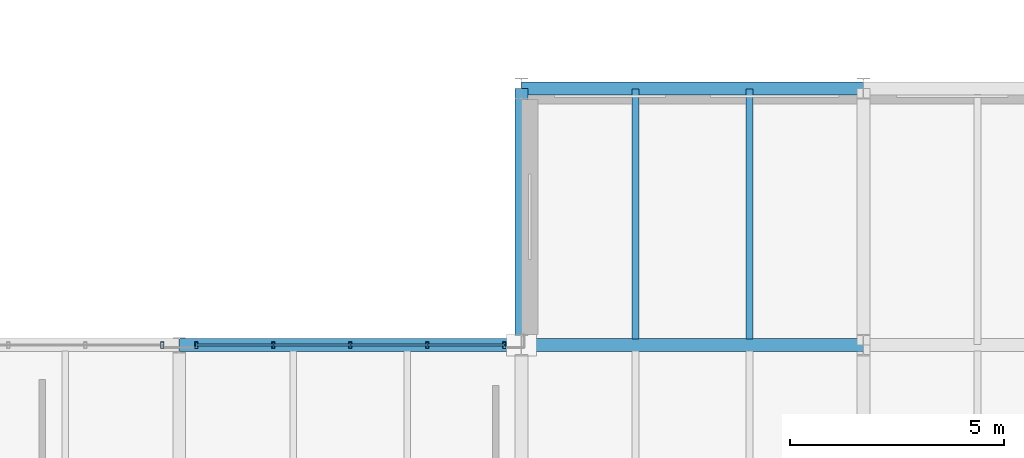
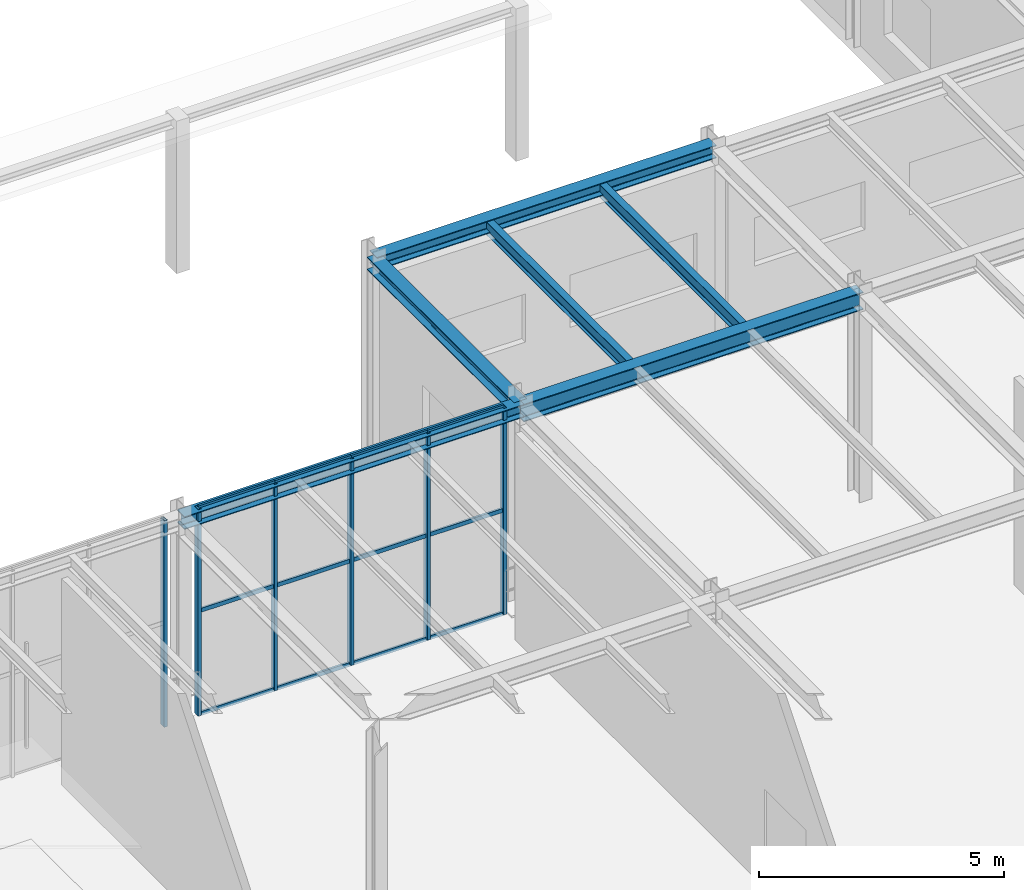
# One storey, part 38 of 129: 18 members, 6 beams, 2 elements without a shape of their own.
"""IFC4 building model written with IfcOpenShell, lengths in metres."""

import ifcopenshell
import ifcopenshell.guid

model = None  # the IFC model being written
_history = None  # IfcOwnerHistory: only IFC2X3 demands one
_inside = {}  # id of a spatial element -> (the spatial element, [elements in it])
_under = {}  # id of a project, library or spatial element -> (it, [spatial elements below it])
_declared = {}  # id of a project -> (the project, [libraries it declares])
_typed = {}  # id of a type object -> (the type object, [elements of that type])
_made_of = {}  # id of a material, layer set ... -> (it, [elements and type objects made of it])


def new_model(schema):
    """Start an empty IFC model of exactly this schema.

    Asked for "IFC4X3", IfcOpenShell would pick the latest addendum, in which some entities
    have other attributes; the version numbers below select the first issue.
    IFC2X3 requires an IfcOwnerHistory on every rooted entity: one is made here for all.
    """
    global model, _history
    if schema == "IFC4X3":
        model = ifcopenshell.file(schema_version=(4, 3, 0, 0))
    else:
        model = ifcopenshell.file(schema=schema)
    _inside.clear()
    _under.clear()
    _declared.clear()
    _typed.clear()
    _made_of.clear()
    _history = None
    if model.schema == "IFC2X3":
        org = make("IfcOrganization", Name="unknown")
        user = make(
            "IfcPersonAndOrganization",
            ThePerson=make("IfcPerson", FamilyName="unknown"),
            TheOrganization=org,
        )
        app = make(
            "IfcApplication",
            ApplicationDeveloper=org,
            Version="unknown",
            ApplicationFullName="unknown",
            ApplicationIdentifier="unknown",
        )
        _history = make(
            "IfcOwnerHistory",
            OwningUser=user,
            OwningApplication=app,
            ChangeAction="ADDED",
            CreationDate=0,
        )
    return model


def make(cls, **values):
    """One entity of the class cls with the attributes given. An attribute that is None is left unset."""
    return model.create_entity(
        cls, **{name: value for name, value in values.items() if value is not None}
    )


def rooted(cls, **values):
    """An entity with a GlobalId (a new one), such as an element, a storey or a relation."""
    return make(cls, GlobalId=ifcopenshell.guid.new(), OwnerHistory=_history, **values)


def si_unit(unit_type, name, prefix=None):
    """IfcSIUnit, for example si_unit("LENGTHUNIT", "METRE", prefix="MILLI")."""
    return make("IfcSIUnit", UnitType=unit_type, Prefix=prefix, Name=name)


def assignment(units):
    """IfcUnitAssignment: the units of a project."""
    return None if units is None else make("IfcUnitAssignment", Units=units)


def point(xyz):
    """IfcCartesianPoint."""
    return None if xyz is None else make("IfcCartesianPoint", Coordinates=xyz)


def direction(xyz):
    """IfcDirection."""
    return None if xyz is None else make("IfcDirection", DirectionRatios=xyz)


def frame(location, z_axis=None, x_axis=None):
    """IfcAxis2Placement3D, a coordinate frame: its origin and axes. An axis left out is left unset."""
    return make(
        "IfcAxis2Placement3D",
        Location=point(location),
        Axis=direction(z_axis),
        RefDirection=direction(x_axis),
    )


def frame_2d(location, x_axis=None):
    """IfcAxis2Placement2D, a coordinate frame in the plane: its origin and x axis."""
    return make(
        "IfcAxis2Placement2D", Location=point(location), RefDirection=direction(x_axis)
    )


def origin():
    """The frame at (0, 0, 0) with its axes left unset."""
    return frame((0.0, 0.0, 0.0))


def origin_2d():
    """The frame at (0, 0) in the plane with its x axis left unset."""
    return frame_2d((0.0, 0.0))


def place(relative_to, where):
    """IfcLocalPlacement: puts the frame where relative to a parent placement (None: the world)."""
    return make(
        "IfcLocalPlacement", PlacementRelTo=relative_to, RelativePlacement=where
    )


def context(
    kind, dimensions, precision=None, world=None, true_north=None, identifier=None
):
    """IfcGeometricRepresentationContext, for example the 3D "Model" context."""
    return make(
        "IfcGeometricRepresentationContext",
        ContextIdentifier=identifier,
        ContextType=kind,
        CoordinateSpaceDimension=dimensions,
        Precision=precision,
        WorldCoordinateSystem=world,
        TrueNorth=true_north,
    )


def subcontext(parent, identifier, kind, view, scale=None):
    """IfcGeometricRepresentationSubContext, for example "Body" below "Model"."""
    return make(
        "IfcGeometricRepresentationSubContext",
        ContextIdentifier=identifier,
        ContextType=kind,
        ParentContext=parent,
        TargetScale=scale,
        TargetView=view,
    )


def project(units=None, contexts=None):
    """IfcProject with its units and contexts."""
    return rooted(
        "IfcProject",
        Name="project",
        RepresentationContexts=contexts,
        UnitsInContext=assignment(units),
    )


def spatial(cls, under=None, at=None, **own):
    """A site, building, storey or space (cls), placed at a placement, below another one or the project."""
    s = rooted(cls, ObjectPlacement=at, **own)
    if under is not None:
        _under.setdefault(under.id(), (under, []))[1].append(s)
    return s


def profile(cls, at=None, kind="AREA", **sizes):
    """A parametric profile (cls). Its sizes go by their IFC names, for example OverallWidth=200.0."""
    return make(cls, ProfileType=kind, Position=at, **sizes)


def hollow_rectangle(**sizes):
    """IfcRectangleHollowProfileDef."""
    return profile("IfcRectangleHollowProfileDef", **sizes)


def i_section(**sizes):
    """IfcIShapeProfileDef."""
    return profile("IfcIShapeProfileDef", **sizes)


def extrude(swept, where, along, depth):
    """IfcExtrudedAreaSolid: the profile swept, set in the frame where, extruded along a direction by depth."""
    return make(
        "IfcExtrudedAreaSolid",
        SweptArea=swept,
        Position=where,
        ExtrudedDirection=direction(along),
        Depth=depth,
    )


def shape(context_of_items, identifier, shape_type, items):
    """IfcShapeRepresentation: the items that make up one representation, for example the "Body"."""
    return make(
        "IfcShapeRepresentation",
        ContextOfItems=context_of_items,
        RepresentationIdentifier=identifier,
        RepresentationType=shape_type,
        Items=items,
    )


def material(Name=None, Category=None):
    """IfcMaterial."""
    return make("IfcMaterial", Name=Name, Category=Category)


def material_profile(
    of_material, cross_section, Name=None, Category=None, Priority=None
):
    """IfcMaterialProfile: a cross section and its material."""
    return make(
        "IfcMaterialProfile",
        Name=Name,
        Material=of_material,
        Profile=cross_section,
        Priority=Priority,
        Category=Category,
    )


def profile_set(profiles, Name=None, composite=None):
    """IfcMaterialProfileSet."""
    return make(
        "IfcMaterialProfileSet",
        Name=Name,
        MaterialProfiles=profiles,
        CompositeProfile=composite,
    )


def made_of(thing, what):
    """Note that an element or type object is made of a material, layer set ...; save() writes the relation."""
    if what is not None:
        _made_of.setdefault(what.id(), (what, []))[1].append(thing)
    return thing


def type_object(cls, material=None, **own):
    """A type object (cls), such as IfcWallType, which elements share."""
    return made_of(rooted(cls, **own), material)


def element(
    cls,
    number,
    at=None,
    inside=None,
    cuts=None,
    type_object=None,
    material=None,
    context=None,
    identifier="Body",
    shape_type=None,
    held_by="IfcProductDefinitionShape",
    body=None,
    shapes=None,
    **own,
):
    """One element of the class cls, such as IfcWall. Its Tag is "e" and its number.

    at: its placement. inside: the storey or other place that contains it. cuts: it is an
    opening in that element (IfcRelVoidsElement). A single representation is given by context,
    identifier, shape_type and body (its items); several are given by shapes. held_by: the class
    of the entity that holds the representations. save() writes the other relations.
    """
    e = rooted(cls, Tag="e%d" % number, ObjectPlacement=at, **own)
    if body is not None:
        shapes = [shape(context, identifier, shape_type, body)]
    if shapes is not None:
        e.Representation = make(held_by, Representations=shapes)
    if inside is not None:
        _inside.setdefault(inside.id(), (inside, []))[1].append(e)
    if cuts is not None:
        rooted(
            "IfcRelVoidsElement", RelatingBuildingElement=cuts, RelatedOpeningElement=e
        )
    if type_object is not None:
        _typed.setdefault(type_object.id(), (type_object, []))[1].append(e)
    return made_of(e, material)


def aggregate(whole, parts):
    """IfcRelAggregates: a whole, such as a stair, and the parts it consists of."""
    return rooted("IfcRelAggregates", RelatingObject=whole, RelatedObjects=parts)


def save(model, path):
    """Write the relations noted so far, then the file.

    IfcRelAggregates (storeys below a building ...), IfcRelContainedInSpatialStructure (elements
    in a storey), IfcRelDefinesByType, IfcRelAssociatesMaterial and IfcRelDeclares: one each for
    every whole, place, type object, material and project.
    """
    for whole, parts in _under.values():
        aggregate(whole, parts)
    for where, things in _inside.values():
        rooted(
            "IfcRelContainedInSpatialStructure",
            RelatedElements=things,
            RelatingStructure=where,
        )
    for kind, things in _typed.values():
        rooted("IfcRelDefinesByType", RelatedObjects=things, RelatingType=kind)
    for what, things in _made_of.values():
        rooted("IfcRelAssociatesMaterial", RelatedObjects=things, RelatingMaterial=what)
    for by, libraries in _declared.values():
        rooted("IfcRelDeclares", RelatingContext=by, RelatedDefinitions=libraries)
    model.write(path)


model = new_model("IFC4")

# Units and contexts
model_context = context("Model", 3, precision=1e-05, world=origin(), true_north=direction((0.0, 1.0)))
body_context = subcontext(model_context, "Body", "Model", "MODEL_VIEW")
ifc_project = project(units=[si_unit("LENGTHUNIT", "METRE"), si_unit("AREAUNIT", "SQUARE_METRE"), si_unit("VOLUMEUNIT", "CUBIC_METRE"), si_unit("PLANEANGLEUNIT", "RADIAN"), si_unit("MASSUNIT", "GRAM", prefix="KILO")], contexts=[model_context])

# Site, building, storey
site_placement = place(None, origin())
site = spatial("IfcSite", under=ifc_project, at=site_placement, CompositionType="ELEMENT")
building_placement = place(site_placement, origin())
building = spatial("IfcBuilding", under=site, at=building_placement, Name="Sundkrona Museum", CompositionType="ELEMENT")
storey_placement = place(building_placement, origin())
storey = spatial("IfcBuildingStorey", under=building, at=storey_placement, Name="L00", CompositionType="ELEMENT", Elevation=0.0)

# Beams
ifc_material_1 = material(Name="Steel S355J2", Category="steel")
ifc_material_profile_1 = material_profile(ifc_material_1, i_section(OverallWidth=0.300048828125, OverallDepth=0.43994140625, WebThickness=0.011474609375, FlangeThickness=0.02099609375, FilletRadius=0.027099609375, at=origin_2d()), Name="HEA 450")
ifc_profile_set_1 = profile_set([ifc_material_profile_1], Name="Steel S355J2")
beam_type_1 = type_object("IfcBeamType", Name="B-HEA450", PredefinedType="BEAM", material=ifc_profile_set_1)
beam_1_placement = place(storey_placement, frame((120.0, 40.0, 4.919921875), z_axis=(1.0, 0.0, 0.0), x_axis=(0.0, 1.0, 0.0)))
element("IfcBeam", 1, at=beam_1_placement, inside=storey, type_object=beam_type_1, Name="L00 Girder X-0475", PredefinedType="BEAM", context=body_context, shape_type="SweptSolid", body=[
    extrude(i_section(OverallWidth=0.300048828125, OverallDepth=0.43994140625, WebThickness=0.011474609375, FlangeThickness=0.02099609375, FilletRadius=0.027099609375, at=origin_2d()), origin(), (0.0, 0.0, 1.0), 8.0),
])
ifc_material_profile_2 = material_profile(ifc_material_1, i_section(OverallWidth=0.159912109375, OverallDepth=0.330078125, WebThickness=0.007568359375, FlangeThickness=0.011474609375, FilletRadius=0.01806640625, at=origin_2d()), Name="IPE 330")
ifc_profile_set_2 = profile_set([ifc_material_profile_2], Name="Steel S355J2")
beam_type_2 = type_object("IfcBeamType", Name="J-IPE330", PredefinedType="JOIST", material=ifc_profile_set_2)
for number, where, z_axis, x_axis, name in (
    (2, (122.666748046875, 40.14404296875, 4.97509765625), (0.0, 1.0, 0.0), (-1.0, 0.0, 0.0), "L00 Composite Joist 0459"),
    (3, (125.333251953125, 40.14404296875, 4.97509765625), (0.0, 1.0, 0.0), (-1.0, 0.0, 0.0), "L00 Composite Joist 0460"),
):
    element("IfcBeam", number, at=place(storey_placement, frame(where, z_axis=z_axis, x_axis=x_axis)), inside=storey, type_object=beam_type_2, Name=name, PredefinedType="JOIST", context=body_context, shape_type="SweptSolid", body=[
        extrude(i_section(OverallWidth=0.159912109375, OverallDepth=0.330078125, WebThickness=0.007568359375, FlangeThickness=0.011474609375, FilletRadius=0.01806640625, at=origin_2d()), origin(), (0.0, 0.0, 1.0), 5.841064453125),
    ])

# Curtain wall, member
ifc_material_2 = material(Name="Unitised Aluminium-Steel and Ceramic-Clad Curtain Walling", Category="steel")
curtain_wall_type = type_object("IfcCurtainWallType", Name="CW-AT-72x50", PredefinedType="NOTDEFINED", material=ifc_material_2)
curtain_wall_1_placement = place(storey_placement, origin())
curtain_wall_1 = element("IfcCurtainWall", 4, at=curtain_wall_1_placement, inside=storey, type_object=curtain_wall_type, Name="L00 Curtain Wall CW-L00-026", PredefinedType="NOTDEFINED")
ifc_material_3 = material(Name="Aluminium EN AW-6060 T66", Category="aluminium")
ifc_material_profile_3 = material_profile(ifc_material_3, hollow_rectangle(XDim=0.074951171875, YDim=0.14990234375, WallThickness=0.00634765625, at=origin_2d()), Name="RHS 150x75x6.3")
ifc_profile_set_3 = profile_set([ifc_material_profile_3], Name="Aluminium EN AW-6060 T66")
member_type_1 = type_object("IfcMemberType", Name="ML-150", PredefinedType="MULLION", material=ifc_profile_set_3)
member_1_placement = place(storey_placement, frame((111.60009765625, 40.0, -0.00390625), z_axis=(0.0, 0.0, 1.0), x_axis=(1.0, 0.0, 0.0)))
member_1 = element("IfcMember", 5, at=member_1_placement, type_object=member_type_1, Name="CW-L00-026 Mullion 05", PredefinedType="MULLION", context=body_context, shape_type="SweptSolid", body=[
    extrude(hollow_rectangle(XDim=0.074951171875, YDim=0.14990234375, WallThickness=0.00634765625, at=origin_2d()), origin(), (0.0, 0.0, 1.0), 5.14794921875),
])
aggregate(curtain_wall_1, [member_1])

# Curtain wall, members
curtain_wall_2_placement = place(storey_placement, origin())
curtain_wall_2 = element("IfcCurtainWall", 6, at=curtain_wall_2_placement, inside=storey, type_object=curtain_wall_type, Name="L00 Curtain Wall CW-L00-027", PredefinedType="NOTDEFINED")
member_2_placement = place(storey_placement, frame((112.39990234375, 40.0, -0.00390625), z_axis=(0.0, 0.0, 1.0), x_axis=(1.0, 0.0, 0.0)))
member_2 = element("IfcMember", 7, at=member_2_placement, type_object=member_type_1, Name="CW-L00-027 Mullion 01", PredefinedType="MULLION", context=body_context, shape_type="SweptSolid", body=[
    extrude(hollow_rectangle(XDim=0.074951171875, YDim=0.14990234375, WallThickness=0.00634765625, at=origin_2d()), origin(), (0.0, 0.0, 1.0), 5.14794921875),
])
member_3_placement = place(storey_placement, frame((114.199951171875, 40.0, -0.00390625), z_axis=(0.0, 0.0, 1.0), x_axis=(1.0, 0.0, 0.0)))
member_3 = element("IfcMember", 8, at=member_3_placement, type_object=member_type_1, Name="CW-L00-027 Mullion 02", PredefinedType="MULLION", context=body_context, shape_type="SweptSolid", body=[
    extrude(hollow_rectangle(XDim=0.074951171875, YDim=0.14990234375, WallThickness=0.00634765625, at=origin_2d()), origin(), (0.0, 0.0, 1.0), 5.14794921875),
])
member_4_placement = place(storey_placement, frame((116.0, 40.0, -0.00390625), z_axis=(0.0, 0.0, 1.0), x_axis=(1.0, 0.0, 0.0)))
member_4 = element("IfcMember", 9, at=member_4_placement, type_object=member_type_1, Name="CW-L00-027 Mullion 03", PredefinedType="MULLION", context=body_context, shape_type="SweptSolid", body=[
    extrude(hollow_rectangle(XDim=0.074951171875, YDim=0.14990234375, WallThickness=0.00634765625, at=origin_2d()), origin(), (0.0, 0.0, 1.0), 5.14794921875),
])
member_5_placement = place(storey_placement, frame((117.800048828125, 40.0, -0.00390625), z_axis=(0.0, 0.0, 1.0), x_axis=(1.0, 0.0, 0.0)))
member_5 = element("IfcMember", 10, at=member_5_placement, type_object=member_type_1, Name="CW-L00-027 Mullion 04", PredefinedType="MULLION", context=body_context, shape_type="SweptSolid", body=[
    extrude(hollow_rectangle(XDim=0.074951171875, YDim=0.14990234375, WallThickness=0.00634765625, at=origin_2d()), origin(), (0.0, 0.0, 1.0), 5.14794921875),
])
member_6_placement = place(storey_placement, frame((119.60009765625, 40.0, -0.00390625), z_axis=(0.0, 0.0, 1.0), x_axis=(1.0, 0.0, 0.0)))
member_6 = element("IfcMember", 11, at=member_6_placement, type_object=member_type_1, Name="CW-L00-027 Mullion 05", PredefinedType="MULLION", context=body_context, shape_type="SweptSolid", body=[
    extrude(hollow_rectangle(XDim=0.074951171875, YDim=0.14990234375, WallThickness=0.00634765625, at=origin_2d()), origin(), (0.0, 0.0, 1.0), 5.14794921875),
])

# Beams
ifc_material_profile_4 = material_profile(ifc_material_1, i_section(OverallWidth=0.300048828125, OverallDepth=0.320068359375, WebThickness=0.011474609375, FlangeThickness=0.0205078125, FilletRadius=0.027099609375, at=origin_2d()), Name="HEB 320")
ifc_profile_set_4 = profile_set([ifc_material_profile_4], Name="Steel S355J2")
beam_type_3 = type_object("IfcBeamType", Name="SP-HEB320", PredefinedType="SPANDREL", material=ifc_profile_set_4)
for number, where, z_axis, x_axis, name in (
    (12, (112.0, 40.0, 4.97998046875), (1.0, 0.0, 0.0), (0.0, 1.0, 0.0), "L00 Girder X-0474"),
    (13, (120.0, 46.0, 5.0), (1.0, 0.0, 0.0), (0.0, 1.0, 0.0), "L00 Girder X-0484"),
):
    element("IfcBeam", number, at=place(storey_placement, frame(where, z_axis=z_axis, x_axis=x_axis)), inside=storey, type_object=beam_type_3, Name=name, PredefinedType="SPANDREL", context=body_context, shape_type="SweptSolid", body=[
        extrude(i_section(OverallWidth=0.300048828125, OverallDepth=0.320068359375, WebThickness=0.011474609375, FlangeThickness=0.0205078125, FilletRadius=0.027099609375, at=origin_2d()), origin(), (0.0, 0.0, 1.0), 8.0),
    ])
beam_2_placement = place(storey_placement, frame((120.0, 40.0, 4.97998046875), z_axis=(0.0, 1.0, 0.0), x_axis=(-1.0, 0.0, 0.0)))
element("IfcBeam", 14, at=beam_2_placement, inside=storey, type_object=beam_type_3, Name="L00 Girder Y-0731", PredefinedType="SPANDREL", context=body_context, shape_type="SweptSolid", body=[
    extrude(i_section(OverallWidth=0.300048828125, OverallDepth=0.320068359375, WebThickness=0.011474609375, FlangeThickness=0.0205078125, FilletRadius=0.027099609375, at=origin_2d()), origin(), (0.0, 0.0, 1.0), 6.0),
])

# Member
ifc_material_profile_5 = material_profile(ifc_material_3, hollow_rectangle(XDim=0.050048828125, YDim=0.10009765625, WallThickness=0.0048828125, at=origin_2d()), Name="RHS 100x50x5.0")
ifc_profile_set_5 = profile_set([ifc_material_profile_5], Name="Aluminium EN AW-6060 T66")
member_type_2 = type_object("IfcMemberType", Name="TR-100", PredefinedType="USERDEFINED", material=ifc_profile_set_5)
member_7_placement = place(storey_placement, frame((112.39990234375, 40.0, -0.00390625), z_axis=(1.0, 0.0, 0.0), x_axis=(0.0, 1.0, 0.0)))
member_7 = element("IfcMember", 15, at=member_7_placement, type_object=member_type_2, Name="CW-L00-027 Transom 01", ObjectType="TRANSOM", PredefinedType="USERDEFINED", context=body_context, shape_type="SweptSolid", body=[
    extrude(hollow_rectangle(XDim=0.050048828125, YDim=0.10009765625, WallThickness=0.0048828125, at=origin_2d()), origin(), (0.0, 0.0, 1.0), 1.800048828125),
])

member_8_placement = place(storey_placement, frame((112.39990234375, 40.0, 2.570068359375), z_axis=(1.0, 0.0, 0.0), x_axis=(0.0, 1.0, 0.0)))
member_8 = element("IfcMember", 16, at=member_8_placement, type_object=member_type_2, Name="CW-L00-027 Transom 02", ObjectType="TRANSOM", PredefinedType="USERDEFINED", context=body_context, shape_type="SweptSolid", body=[
    extrude(hollow_rectangle(XDim=0.050048828125, YDim=0.10009765625, WallThickness=0.0048828125, at=origin_2d()), origin(), (0.0, 0.0, 1.0), 1.800048828125),
])

member_9_placement = place(storey_placement, frame((112.39990234375, 40.0, 5.14404296875), z_axis=(1.0, 0.0, 0.0), x_axis=(0.0, 1.0, 0.0)))
member_9 = element("IfcMember", 17, at=member_9_placement, type_object=member_type_2, Name="CW-L00-027 Transom 03", ObjectType="TRANSOM", PredefinedType="USERDEFINED", context=body_context, shape_type="SweptSolid", body=[
    extrude(hollow_rectangle(XDim=0.050048828125, YDim=0.10009765625, WallThickness=0.0048828125, at=origin_2d()), origin(), (0.0, 0.0, 1.0), 1.800048828125),
])

member_10_placement = place(storey_placement, frame((114.199951171875, 40.0, -0.00390625), z_axis=(1.0, 0.0, 0.0), x_axis=(0.0, 1.0, 0.0)))
member_10 = element("IfcMember", 18, at=member_10_placement, type_object=member_type_2, Name="CW-L00-027 Transom 04", ObjectType="TRANSOM", PredefinedType="USERDEFINED", context=body_context, shape_type="SweptSolid", body=[
    extrude(hollow_rectangle(XDim=0.050048828125, YDim=0.10009765625, WallThickness=0.0048828125, at=origin_2d()), origin(), (0.0, 0.0, 1.0), 1.800048828125),
])

member_11_placement = place(storey_placement, frame((114.199951171875, 40.0, 2.570068359375), z_axis=(1.0, 0.0, 0.0), x_axis=(0.0, 1.0, 0.0)))
member_11 = element("IfcMember", 19, at=member_11_placement, type_object=member_type_2, Name="CW-L00-027 Transom 05", ObjectType="TRANSOM", PredefinedType="USERDEFINED", context=body_context, shape_type="SweptSolid", body=[
    extrude(hollow_rectangle(XDim=0.050048828125, YDim=0.10009765625, WallThickness=0.0048828125, at=origin_2d()), origin(), (0.0, 0.0, 1.0), 1.800048828125),
])

member_12_placement = place(storey_placement, frame((114.199951171875, 40.0, 5.14404296875), z_axis=(1.0, 0.0, 0.0), x_axis=(0.0, 1.0, 0.0)))
member_12 = element("IfcMember", 20, at=member_12_placement, type_object=member_type_2, Name="CW-L00-027 Transom 06", ObjectType="TRANSOM", PredefinedType="USERDEFINED", context=body_context, shape_type="SweptSolid", body=[
    extrude(hollow_rectangle(XDim=0.050048828125, YDim=0.10009765625, WallThickness=0.0048828125, at=origin_2d()), origin(), (0.0, 0.0, 1.0), 1.800048828125),
])

member_13_placement = place(storey_placement, frame((116.0, 40.0, -0.00390625), z_axis=(1.0, 0.0, 0.0), x_axis=(0.0, 1.0, 0.0)))
member_13 = element("IfcMember", 21, at=member_13_placement, type_object=member_type_2, Name="CW-L00-027 Transom 07", ObjectType="TRANSOM", PredefinedType="USERDEFINED", context=body_context, shape_type="SweptSolid", body=[
    extrude(hollow_rectangle(XDim=0.050048828125, YDim=0.10009765625, WallThickness=0.0048828125, at=origin_2d()), origin(), (0.0, 0.0, 1.0), 1.800048828125),
])

member_14_placement = place(storey_placement, frame((116.0, 40.0, 2.570068359375), z_axis=(1.0, 0.0, 0.0), x_axis=(0.0, 1.0, 0.0)))
member_14 = element("IfcMember", 22, at=member_14_placement, type_object=member_type_2, Name="CW-L00-027 Transom 08", ObjectType="TRANSOM", PredefinedType="USERDEFINED", context=body_context, shape_type="SweptSolid", body=[
    extrude(hollow_rectangle(XDim=0.050048828125, YDim=0.10009765625, WallThickness=0.0048828125, at=origin_2d()), origin(), (0.0, 0.0, 1.0), 1.800048828125),
])

member_15_placement = place(storey_placement, frame((116.0, 40.0, 5.14404296875), z_axis=(1.0, 0.0, 0.0), x_axis=(0.0, 1.0, 0.0)))
member_15 = element("IfcMember", 23, at=member_15_placement, type_object=member_type_2, Name="CW-L00-027 Transom 09", ObjectType="TRANSOM", PredefinedType="USERDEFINED", context=body_context, shape_type="SweptSolid", body=[
    extrude(hollow_rectangle(XDim=0.050048828125, YDim=0.10009765625, WallThickness=0.0048828125, at=origin_2d()), origin(), (0.0, 0.0, 1.0), 1.800048828125),
])

member_16_placement = place(storey_placement, frame((117.800048828125, 40.0, -0.00390625), z_axis=(1.0, 0.0, 0.0), x_axis=(0.0, 1.0, 0.0)))
member_16 = element("IfcMember", 24, at=member_16_placement, type_object=member_type_2, Name="CW-L00-027 Transom 10", ObjectType="TRANSOM", PredefinedType="USERDEFINED", context=body_context, shape_type="SweptSolid", body=[
    extrude(hollow_rectangle(XDim=0.050048828125, YDim=0.10009765625, WallThickness=0.0048828125, at=origin_2d()), origin(), (0.0, 0.0, 1.0), 1.800048828125),
])

member_17_placement = place(storey_placement, frame((117.800048828125, 40.0, 2.570068359375), z_axis=(1.0, 0.0, 0.0), x_axis=(0.0, 1.0, 0.0)))
member_17 = element("IfcMember", 25, at=member_17_placement, type_object=member_type_2, Name="CW-L00-027 Transom 11", ObjectType="TRANSOM", PredefinedType="USERDEFINED", context=body_context, shape_type="SweptSolid", body=[
    extrude(hollow_rectangle(XDim=0.050048828125, YDim=0.10009765625, WallThickness=0.0048828125, at=origin_2d()), origin(), (0.0, 0.0, 1.0), 1.800048828125),
])

member_18_placement = place(storey_placement, frame((117.800048828125, 40.0, 5.14404296875), z_axis=(1.0, 0.0, 0.0), x_axis=(0.0, 1.0, 0.0)))
member_18 = element("IfcMember", 26, at=member_18_placement, type_object=member_type_2, Name="CW-L00-027 Transom 12", ObjectType="TRANSOM", PredefinedType="USERDEFINED", context=body_context, shape_type="SweptSolid", body=[
    extrude(hollow_rectangle(XDim=0.050048828125, YDim=0.10009765625, WallThickness=0.0048828125, at=origin_2d()), origin(), (0.0, 0.0, 1.0), 1.800048828125),
])

aggregate(curtain_wall_2, [member_2, member_3, member_4, member_5, member_6, member_7, member_8, member_9, member_10, member_11, member_12, member_13, member_14, member_15, member_16, member_17, member_18])

save(model, "model.ifc")
